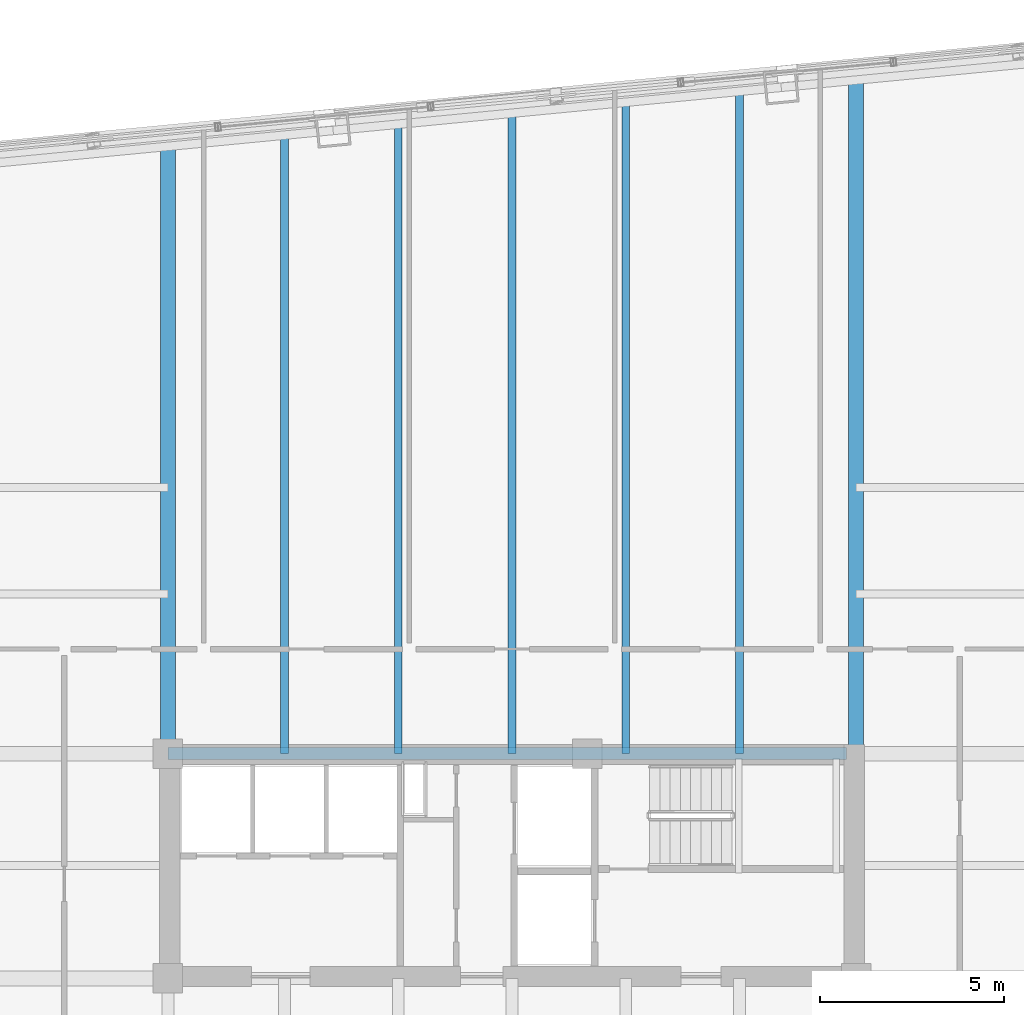
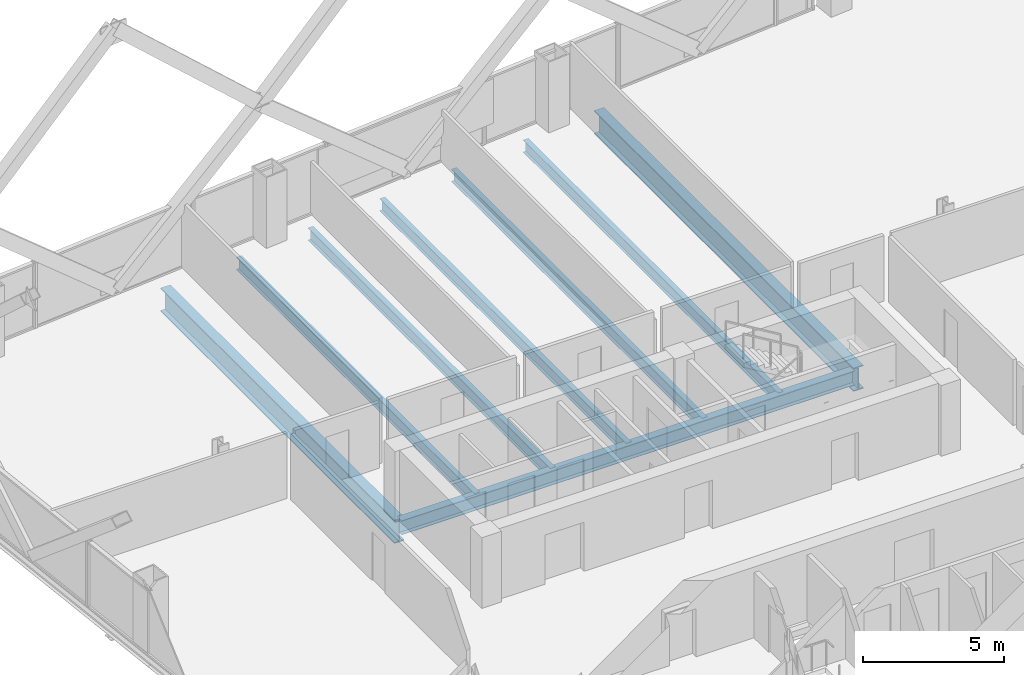
# One storey, part 20 of 32: 8 beams.
"""IFC4 building model written with IfcOpenShell, lengths in metres."""

from ifc_helpers import new_model, si_unit, direction, frame, origin, origin_2d, place, context, subcontext, project, spatial, i_section, extrude, material, material_profile, profile_set, type_object, element, save


model = new_model("IFC4")

# Units and contexts
model_context = context("Model", 3, precision=1e-05, world=origin(), true_north=direction((0.0, 1.0)))
body_context = subcontext(model_context, "Body", "Model", "MODEL_VIEW")
ifc_project = project(units=[si_unit("LENGTHUNIT", "METRE"), si_unit("AREAUNIT", "SQUARE_METRE"), si_unit("VOLUMEUNIT", "CUBIC_METRE"), si_unit("PLANEANGLEUNIT", "RADIAN"), si_unit("MASSUNIT", "GRAM", prefix="KILO")], contexts=[model_context])

# Site, building, storey
site_placement = place(None, origin())
site = spatial("IfcSite", under=ifc_project, at=site_placement, CompositionType="ELEMENT")
building_placement = place(site_placement, origin())
building = spatial("IfcBuilding", under=site, at=building_placement, Name="Qhalaya Broadcast Tower", CompositionType="ELEMENT")
storey_placement = place(building_placement, frame((0.0, 0.0, 81.64990234375)))
storey = spatial("IfcBuildingStorey", under=building, at=storey_placement, Name="L23", CompositionType="ELEMENT", Elevation=81.64990234375)

# Beams
ifc_material = material(Name="Structural Steel ASTM A992 Grade 50", Category="steel")
ifc_material_profile_1 = material_profile(ifc_material, i_section(OverallWidth=0.2099609375, OverallDepth=0.535888671875, WebThickness=0.010986328125, FlangeThickness=0.017333984375, at=origin_2d()), Name="W21X68")
ifc_profile_set_1 = profile_set([ifc_material_profile_1], Name="Structural Steel ASTM A992 Grade 50")
beam_type_1 = type_object("IfcBeamType", Name="Composite Floor Joist J02", PredefinedType="JOIST", material=ifc_profile_set_1)
beam_1_placement = place(storey_placement, frame((-6.199951171875, 9.949951171875, -0.48779296875), z_axis=(0.0, 1.0, 0.0), x_axis=(-1.0, 0.0, 0.0)))
element("IfcBeam", 1, at=beam_1_placement, inside=storey, type_object=beam_type_1, Name="L23 J02 L23-JNN1-1", PredefinedType="JOIST", context=body_context, shape_type="SweptSolid", body=[
    extrude(i_section(OverallWidth=0.2099609375, OverallDepth=0.535888671875, WebThickness=0.010986328125, FlangeThickness=0.017333984375, at=origin_2d()), origin(), (0.0, 0.0, 1.0), 16.843505859375),
])
beam_2_placement = place(storey_placement, frame((-3.10009765625, 9.949951171875, -0.48779296875), z_axis=(0.0, 1.0, 0.0), x_axis=(-1.0, 0.0, 0.0)))
element("IfcBeam", 2, at=beam_2_placement, inside=storey, type_object=beam_type_1, Name="L23 J02 L23-JNN2-1", PredefinedType="JOIST", context=body_context, shape_type="SweptSolid", body=[
    extrude(i_section(OverallWidth=0.2099609375, OverallDepth=0.535888671875, WebThickness=0.010986328125, FlangeThickness=0.017333984375, at=origin_2d()), origin(), (0.0, 0.0, 1.0), 17.14208984375),
])
beam_3_placement = place(storey_placement, frame((0.0, 9.949951171875, -0.48779296875), z_axis=(0.0, 1.0, 0.0), x_axis=(-1.0, 0.0, 0.0)))
element("IfcBeam", 3, at=beam_3_placement, inside=storey, type_object=beam_type_1, Name="L23 J02 L23-JNN3-1", PredefinedType="JOIST", context=body_context, shape_type="SweptSolid", body=[
    extrude(i_section(OverallWidth=0.2099609375, OverallDepth=0.535888671875, WebThickness=0.010986328125, FlangeThickness=0.017333984375, at=origin_2d()), origin(), (0.0, 0.0, 1.0), 17.4404296875),
])
beam_4_placement = place(storey_placement, frame((3.10009765625, 9.949951171875, -0.48779296875), z_axis=(0.0, 1.0, 0.0), x_axis=(-1.0, 0.0, 0.0)))
element("IfcBeam", 4, at=beam_4_placement, inside=storey, type_object=beam_type_1, Name="L23 J02 L23-JNN4-1", PredefinedType="JOIST", context=body_context, shape_type="SweptSolid", body=[
    extrude(i_section(OverallWidth=0.2099609375, OverallDepth=0.535888671875, WebThickness=0.010986328125, FlangeThickness=0.017333984375, at=origin_2d()), origin(), (0.0, 0.0, 1.0), 17.739013671875),
])
beam_5_placement = place(storey_placement, frame((6.199951171875, 9.949951171875, -0.48779296875), z_axis=(0.0, 1.0, 0.0), x_axis=(-1.0, 0.0, 0.0)))
element("IfcBeam", 5, at=beam_5_placement, inside=storey, type_object=beam_type_1, Name="L23 J02 L23-JNN5-1", PredefinedType="JOIST", context=body_context, shape_type="SweptSolid", body=[
    extrude(i_section(OverallWidth=0.2099609375, OverallDepth=0.535888671875, WebThickness=0.010986328125, FlangeThickness=0.017333984375, at=origin_2d()), origin(), (0.0, 0.0, 1.0), 18.03759765625),
])
ifc_material_profile_2 = material_profile(ifc_material, i_section(OverallWidth=0.323974609375, OverallDepth=0.612060546875, WebThickness=0.0126953125, FlangeThickness=0.01904296875, at=origin_2d()), Name="W24X104")
ifc_profile_set_2 = profile_set([ifc_material_profile_2], Name="Structural Steel ASTM A992 Grade 50")
beam_type_2 = type_object("IfcBeamType", Name="Core Frame Tie Beam B04", PredefinedType="BEAM", material=ifc_profile_set_2)
beam_6_placement = place(storey_placement, frame((-9.375, 9.949951171875, -0.52587890625), z_axis=(1.0, 0.0, 0.0), x_axis=(0.0, 1.0, 0.0)))
element("IfcBeam", 6, at=beam_6_placement, inside=storey, type_object=beam_type_2, Name="L23 B04 L23-CCN3", PredefinedType="BEAM", context=body_context, shape_type="SweptSolid", body=[
    extrude(i_section(OverallWidth=0.323974609375, OverallDepth=0.612060546875, WebThickness=0.0126953125, FlangeThickness=0.01904296875, at=origin_2d()), origin(), (0.0, 0.0, 1.0), 18.4951171875),
])
ifc_material_profile_3 = material_profile(ifc_material, i_section(OverallWidth=0.40087890625, OverallDepth=1.010986328125, WebThickness=0.023681640625, FlangeThickness=0.0419921875, at=origin_2d()), Name="W40X297")
ifc_profile_set_3 = profile_set([ifc_material_profile_3], Name="Structural Steel ASTM A992 Grade 50")
beam_type_3 = type_object("IfcBeamType", Name="Lower Block Primary Girder PG2", PredefinedType="USERDEFINED", material=ifc_profile_set_3)
beam_7_placement = place(storey_placement, frame((-9.375, 9.949951171875, -0.725341796875), z_axis=(0.0, 1.0, 0.0), x_axis=(-1.0, 0.0, 0.0)))
element("IfcBeam", 7, at=beam_7_placement, inside=storey, type_object=beam_type_3, Name="L23 PG2 L23-PGXN1-1", ObjectType="GIRDER", PredefinedType="USERDEFINED", context=body_context, shape_type="SweptSolid", body=[
    extrude(i_section(OverallWidth=0.40087890625, OverallDepth=1.010986328125, WebThickness=0.023681640625, FlangeThickness=0.0419921875, at=origin_2d()), origin(), (0.0, 0.0, 1.0), 16.537841796875),
])
beam_8_placement = place(storey_placement, frame((9.375, 9.949951171875, -0.725341796875), z_axis=(0.0, 1.0, 0.0), x_axis=(-1.0, 0.0, 0.0)))
element("IfcBeam", 8, at=beam_8_placement, inside=storey, type_object=beam_type_3, Name="L23 PG2 L23-PGXN2-1", ObjectType="GIRDER", PredefinedType="USERDEFINED", context=body_context, shape_type="SweptSolid", body=[
    extrude(i_section(OverallWidth=0.40087890625, OverallDepth=1.010986328125, WebThickness=0.023681640625, FlangeThickness=0.0419921875, at=origin_2d()), origin(), (0.0, 0.0, 1.0), 18.34326171875),
])

save(model, "model.ifc")
